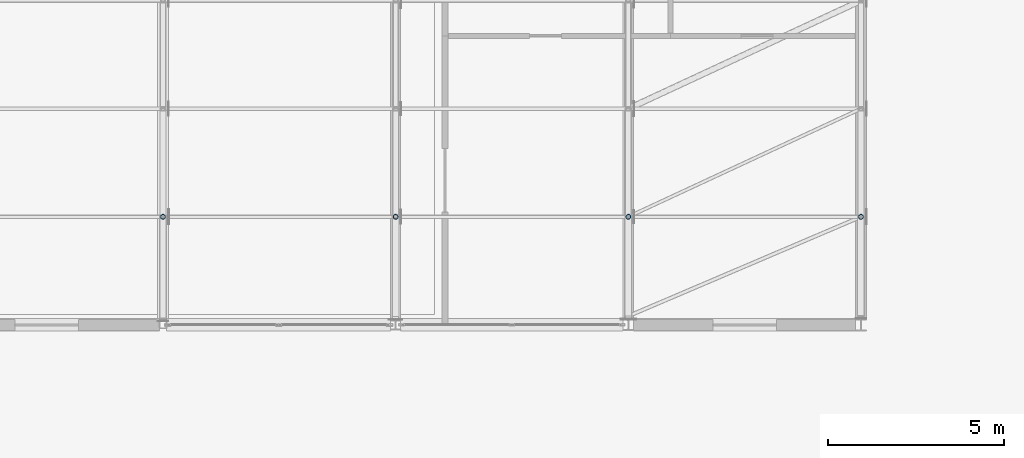
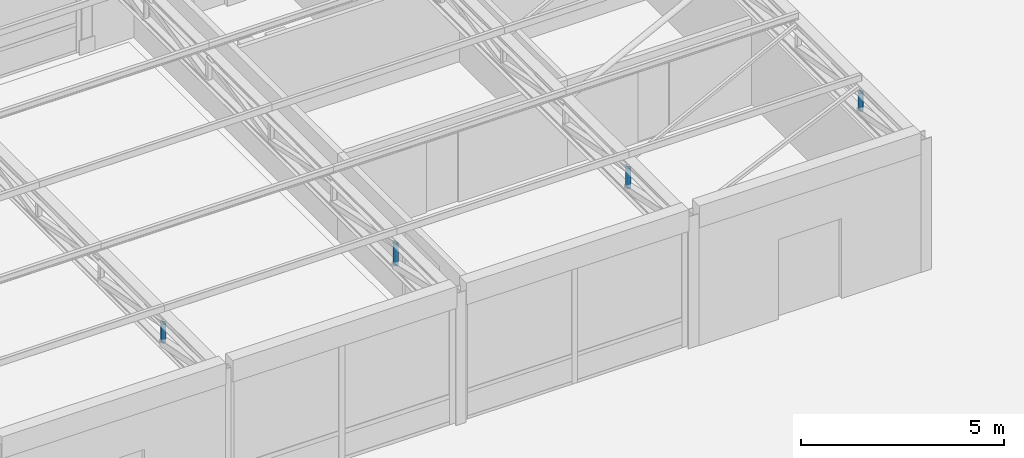
# One storey, part 49 of 92: 4 members.
"""IFC4 building model written with IfcOpenShell, lengths in metres."""

from ifc_helpers import new_model, si_unit, direction, frame, origin, origin_2d, place, context, subcontext, project, spatial, hollow_circle, extrude, material, material_profile, profile_set, type_object, element, save


model = new_model("IFC4")

# Units and contexts
model_context = context("Model", 3, precision=1e-05, world=origin(), true_north=direction((0.0, 1.0)))
body_context = subcontext(model_context, "Body", "Model", "MODEL_VIEW")
ifc_project = project(units=[si_unit("LENGTHUNIT", "METRE"), si_unit("AREAUNIT", "SQUARE_METRE"), si_unit("VOLUMEUNIT", "CUBIC_METRE"), si_unit("PLANEANGLEUNIT", "RADIAN"), si_unit("MASSUNIT", "GRAM", prefix="KILO")], contexts=[model_context])

# Site, building, storey
site_placement = place(None, origin())
site = spatial("IfcSite", under=ifc_project, at=site_placement, CompositionType="ELEMENT")
building_placement = place(site_placement, origin())
building = spatial("IfcBuilding", under=site, at=building_placement, Name="Kernevlak Ridge Housing Community", CompositionType="ELEMENT")
storey_placement = place(building_placement, frame((0.0, 0.0, 4.199951171875)))
storey = spatial("IfcBuildingStorey", under=building, at=storey_placement, Name="L01", CompositionType="ELEMENT", Elevation=4.199951171875)

# Members
ifc_material = material(Name="Steel S355", Category="steel")
ifc_material_profile = material_profile(ifc_material, hollow_circle(Radius=0.06982421875, WallThickness=0.008056640625, at=origin_2d()), Name="CHS 139.7x8")
ifc_profile_set = profile_set([ifc_material_profile], Name="Steel S355")
member_type = type_object("IfcMemberType", Name="BR-09", PredefinedType="BRACE", material=ifc_profile_set)
member_1_placement = place(storey_placement, frame((84.0, 52.86669921875, 2.83544921875), z_axis=(0.0, 0.0, 1.0), x_axis=(1.0, 0.0, 0.0)))
element("IfcMember", 1, at=member_1_placement, inside=storey, type_object=member_type, Name="Community Hall roof truss 4 vertical post 1", PredefinedType="BRACE", context=body_context, shape_type="SweptSolid", body=[
    extrude(hollow_circle(Radius=0.06982421875, WallThickness=0.008056640625, at=origin_2d()), origin(), (0.0, 0.0, 1.0), 0.57470703125),
])
member_2_placement = place(storey_placement, frame((90.60009765625, 52.86669921875, 2.844970703125), z_axis=(0.0, 0.0, 1.0), x_axis=(1.0, 0.0, 0.0)))
element("IfcMember", 2, at=member_2_placement, inside=storey, type_object=member_type, Name="Community Hall roof truss 5 vertical post 1", PredefinedType="BRACE", context=body_context, shape_type="SweptSolid", body=[
    extrude(hollow_circle(Radius=0.06982421875, WallThickness=0.008056640625, at=origin_2d()), origin(), (0.0, 0.0, 1.0), 0.64501953125),
])
member_3_placement = place(storey_placement, frame((97.199951171875, 52.86669921875, 2.85498046875), z_axis=(0.0, 0.0, 1.0), x_axis=(1.0, 0.0, 0.0)))
element("IfcMember", 3, at=member_3_placement, inside=storey, type_object=member_type, Name="Community Hall roof truss 6 vertical post 1", PredefinedType="BRACE", context=body_context, shape_type="SweptSolid", body=[
    extrude(hollow_circle(Radius=0.06982421875, WallThickness=0.008056640625, at=origin_2d()), origin(), (0.0, 0.0, 1.0), 0.594970703125),
])
member_4_placement = place(storey_placement, frame((103.800048828125, 52.86669921875, 2.864990234375), z_axis=(0.0, 0.0, 1.0), x_axis=(1.0, 0.0, 0.0)))
element("IfcMember", 4, at=member_4_placement, inside=storey, type_object=member_type, Name="Community Hall roof truss 7 vertical post 1", PredefinedType="BRACE", context=body_context, shape_type="SweptSolid", body=[
    extrude(hollow_circle(Radius=0.06982421875, WallThickness=0.008056640625, at=origin_2d()), origin(), (0.0, 0.0, 1.0), 0.545166015625),
])

save(model, "model.ifc")
